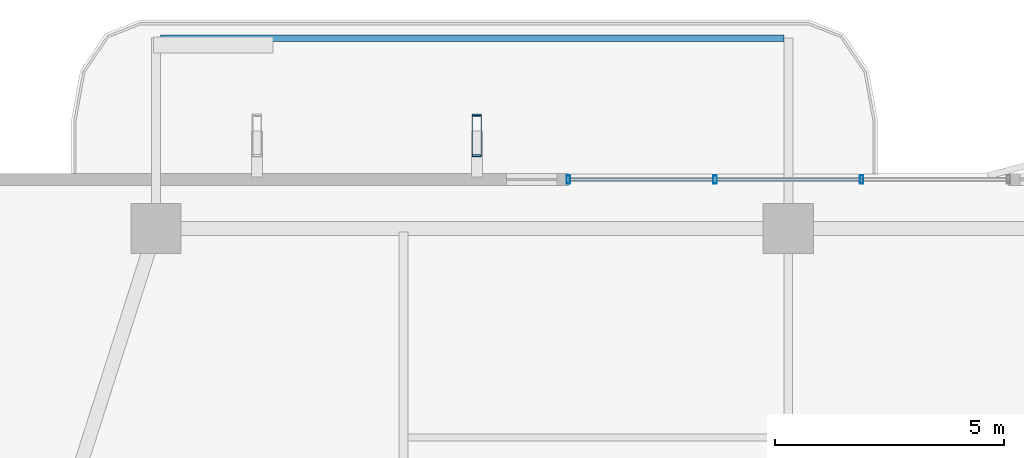
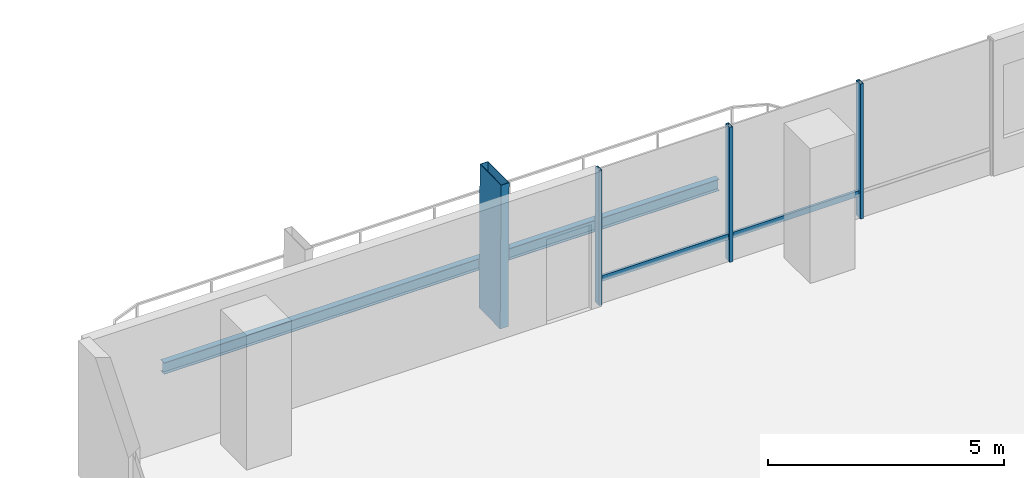
# One storey, part 13 of 24: 6 members, 1 beam, 1 element without a shape of its own.
"""IFC4 building model written with IfcOpenShell, lengths in metres."""

import ifcopenshell
import ifcopenshell.guid

model = None  # the IFC model being written
_history = None  # IfcOwnerHistory: only IFC2X3 demands one
_inside = {}  # id of a spatial element -> (the spatial element, [elements in it])
_under = {}  # id of a project, library or spatial element -> (it, [spatial elements below it])
_declared = {}  # id of a project -> (the project, [libraries it declares])
_typed = {}  # id of a type object -> (the type object, [elements of that type])
_made_of = {}  # id of a material, layer set ... -> (it, [elements and type objects made of it])


def new_model(schema):
    """Start an empty IFC model of exactly this schema.

    Asked for "IFC4X3", IfcOpenShell would pick the latest addendum, in which some entities
    have other attributes; the version numbers below select the first issue.
    IFC2X3 requires an IfcOwnerHistory on every rooted entity: one is made here for all.
    """
    global model, _history
    if schema == "IFC4X3":
        model = ifcopenshell.file(schema_version=(4, 3, 0, 0))
    else:
        model = ifcopenshell.file(schema=schema)
    _inside.clear()
    _under.clear()
    _declared.clear()
    _typed.clear()
    _made_of.clear()
    _history = None
    if model.schema == "IFC2X3":
        org = make("IfcOrganization", Name="unknown")
        user = make(
            "IfcPersonAndOrganization",
            ThePerson=make("IfcPerson", FamilyName="unknown"),
            TheOrganization=org,
        )
        app = make(
            "IfcApplication",
            ApplicationDeveloper=org,
            Version="unknown",
            ApplicationFullName="unknown",
            ApplicationIdentifier="unknown",
        )
        _history = make(
            "IfcOwnerHistory",
            OwningUser=user,
            OwningApplication=app,
            ChangeAction="ADDED",
            CreationDate=0,
        )
    return model


def make(cls, **values):
    """One entity of the class cls with the attributes given. An attribute that is None is left unset."""
    return model.create_entity(
        cls, **{name: value for name, value in values.items() if value is not None}
    )


def rooted(cls, **values):
    """An entity with a GlobalId (a new one), such as an element, a storey or a relation."""
    return make(cls, GlobalId=ifcopenshell.guid.new(), OwnerHistory=_history, **values)


def si_unit(unit_type, name, prefix=None):
    """IfcSIUnit, for example si_unit("LENGTHUNIT", "METRE", prefix="MILLI")."""
    return make("IfcSIUnit", UnitType=unit_type, Prefix=prefix, Name=name)


def assignment(units):
    """IfcUnitAssignment: the units of a project."""
    return None if units is None else make("IfcUnitAssignment", Units=units)


def point(xyz):
    """IfcCartesianPoint."""
    return None if xyz is None else make("IfcCartesianPoint", Coordinates=xyz)


def direction(xyz):
    """IfcDirection."""
    return None if xyz is None else make("IfcDirection", DirectionRatios=xyz)


def frame(location, z_axis=None, x_axis=None):
    """IfcAxis2Placement3D, a coordinate frame: its origin and axes. An axis left out is left unset."""
    return make(
        "IfcAxis2Placement3D",
        Location=point(location),
        Axis=direction(z_axis),
        RefDirection=direction(x_axis),
    )


def frame_2d(location, x_axis=None):
    """IfcAxis2Placement2D, a coordinate frame in the plane: its origin and x axis."""
    return make(
        "IfcAxis2Placement2D", Location=point(location), RefDirection=direction(x_axis)
    )


def origin():
    """The frame at (0, 0, 0) with its axes left unset."""
    return frame((0.0, 0.0, 0.0))


def origin_2d():
    """The frame at (0, 0) in the plane with its x axis left unset."""
    return frame_2d((0.0, 0.0))


def place(relative_to, where):
    """IfcLocalPlacement: puts the frame where relative to a parent placement (None: the world)."""
    return make(
        "IfcLocalPlacement", PlacementRelTo=relative_to, RelativePlacement=where
    )


def context(
    kind, dimensions, precision=None, world=None, true_north=None, identifier=None
):
    """IfcGeometricRepresentationContext, for example the 3D "Model" context."""
    return make(
        "IfcGeometricRepresentationContext",
        ContextIdentifier=identifier,
        ContextType=kind,
        CoordinateSpaceDimension=dimensions,
        Precision=precision,
        WorldCoordinateSystem=world,
        TrueNorth=true_north,
    )


def subcontext(parent, identifier, kind, view, scale=None):
    """IfcGeometricRepresentationSubContext, for example "Body" below "Model"."""
    return make(
        "IfcGeometricRepresentationSubContext",
        ContextIdentifier=identifier,
        ContextType=kind,
        ParentContext=parent,
        TargetScale=scale,
        TargetView=view,
    )


def project(units=None, contexts=None):
    """IfcProject with its units and contexts."""
    return rooted(
        "IfcProject",
        Name="project",
        RepresentationContexts=contexts,
        UnitsInContext=assignment(units),
    )


def spatial(cls, under=None, at=None, **own):
    """A site, building, storey or space (cls), placed at a placement, below another one or the project."""
    s = rooted(cls, ObjectPlacement=at, **own)
    if under is not None:
        _under.setdefault(under.id(), (under, []))[1].append(s)
    return s


def profile(cls, at=None, kind="AREA", **sizes):
    """A parametric profile (cls). Its sizes go by their IFC names, for example OverallWidth=200.0."""
    return make(cls, ProfileType=kind, Position=at, **sizes)


def hollow_rectangle(**sizes):
    """IfcRectangleHollowProfileDef."""
    return profile("IfcRectangleHollowProfileDef", **sizes)


def i_section(**sizes):
    """IfcIShapeProfileDef."""
    return profile("IfcIShapeProfileDef", **sizes)


def extrude(swept, where, along, depth):
    """IfcExtrudedAreaSolid: the profile swept, set in the frame where, extruded along a direction by depth."""
    return make(
        "IfcExtrudedAreaSolid",
        SweptArea=swept,
        Position=where,
        ExtrudedDirection=direction(along),
        Depth=depth,
    )


def shape(context_of_items, identifier, shape_type, items):
    """IfcShapeRepresentation: the items that make up one representation, for example the "Body"."""
    return make(
        "IfcShapeRepresentation",
        ContextOfItems=context_of_items,
        RepresentationIdentifier=identifier,
        RepresentationType=shape_type,
        Items=items,
    )


def material(Name=None, Category=None):
    """IfcMaterial."""
    return make("IfcMaterial", Name=Name, Category=Category)


def layer(
    of_material, thickness, ventilated=None, Name=None, Category=None, Priority=None
):
    """IfcMaterialLayer: one layer of a wall or slab, of a material (None: an air gap)."""
    return make(
        "IfcMaterialLayer",
        Material=of_material,
        LayerThickness=thickness,
        IsVentilated=ventilated,
        Name=Name,
        Category=Category,
        Priority=Priority,
    )


def layer_set(layers, Name=None):
    """IfcMaterialLayerSet."""
    return make("IfcMaterialLayerSet", MaterialLayers=layers, LayerSetName=Name)


def material_profile(
    of_material, cross_section, Name=None, Category=None, Priority=None
):
    """IfcMaterialProfile: a cross section and its material."""
    return make(
        "IfcMaterialProfile",
        Name=Name,
        Material=of_material,
        Profile=cross_section,
        Priority=Priority,
        Category=Category,
    )


def profile_set(profiles, Name=None, composite=None):
    """IfcMaterialProfileSet."""
    return make(
        "IfcMaterialProfileSet",
        Name=Name,
        MaterialProfiles=profiles,
        CompositeProfile=composite,
    )


def made_of(thing, what):
    """Note that an element or type object is made of a material, layer set ...; save() writes the relation."""
    if what is not None:
        _made_of.setdefault(what.id(), (what, []))[1].append(thing)
    return thing


def type_object(cls, material=None, **own):
    """A type object (cls), such as IfcWallType, which elements share."""
    return made_of(rooted(cls, **own), material)


def element(
    cls,
    number,
    at=None,
    inside=None,
    cuts=None,
    type_object=None,
    material=None,
    context=None,
    identifier="Body",
    shape_type=None,
    held_by="IfcProductDefinitionShape",
    body=None,
    shapes=None,
    **own,
):
    """One element of the class cls, such as IfcWall. Its Tag is "e" and its number.

    at: its placement. inside: the storey or other place that contains it. cuts: it is an
    opening in that element (IfcRelVoidsElement). A single representation is given by context,
    identifier, shape_type and body (its items); several are given by shapes. held_by: the class
    of the entity that holds the representations. save() writes the other relations.
    """
    e = rooted(cls, Tag="e%d" % number, ObjectPlacement=at, **own)
    if body is not None:
        shapes = [shape(context, identifier, shape_type, body)]
    if shapes is not None:
        e.Representation = make(held_by, Representations=shapes)
    if inside is not None:
        _inside.setdefault(inside.id(), (inside, []))[1].append(e)
    if cuts is not None:
        rooted(
            "IfcRelVoidsElement", RelatingBuildingElement=cuts, RelatedOpeningElement=e
        )
    if type_object is not None:
        _typed.setdefault(type_object.id(), (type_object, []))[1].append(e)
    return made_of(e, material)


def aggregate(whole, parts):
    """IfcRelAggregates: a whole, such as a stair, and the parts it consists of."""
    return rooted("IfcRelAggregates", RelatingObject=whole, RelatedObjects=parts)


def save(model, path):
    """Write the relations noted so far, then the file.

    IfcRelAggregates (storeys below a building ...), IfcRelContainedInSpatialStructure (elements
    in a storey), IfcRelDefinesByType, IfcRelAssociatesMaterial and IfcRelDeclares: one each for
    every whole, place, type object, material and project.
    """
    for whole, parts in _under.values():
        aggregate(whole, parts)
    for where, things in _inside.values():
        rooted(
            "IfcRelContainedInSpatialStructure",
            RelatedElements=things,
            RelatingStructure=where,
        )
    for kind, things in _typed.values():
        rooted("IfcRelDefinesByType", RelatedObjects=things, RelatingType=kind)
    for what, things in _made_of.values():
        rooted("IfcRelAssociatesMaterial", RelatedObjects=things, RelatingMaterial=what)
    for by, libraries in _declared.values():
        rooted("IfcRelDeclares", RelatingContext=by, RelatedDefinitions=libraries)
    model.write(path)


model = new_model("IFC4")

# Units and contexts
model_context = context("Model", 3, precision=1e-05, world=origin(), true_north=direction((0.0, 1.0)))
body_context = subcontext(model_context, "Body", "Model", "MODEL_VIEW")
ifc_project = project(units=[si_unit("LENGTHUNIT", "METRE"), si_unit("AREAUNIT", "SQUARE_METRE"), si_unit("VOLUMEUNIT", "CUBIC_METRE"), si_unit("PLANEANGLEUNIT", "RADIAN"), si_unit("MASSUNIT", "GRAM", prefix="KILO")], contexts=[model_context])

# Site, building, storey
site_placement = place(None, origin())
site = spatial("IfcSite", under=ifc_project, at=site_placement, CompositionType="ELEMENT")
building_placement = place(site_placement, origin())
building = spatial("IfcBuilding", under=site, at=building_placement, Name="Belovzor Exchange Tower", CompositionType="ELEMENT")
storey_placement = place(building_placement, frame((0.0, 0.0, 179.550048828125)))
storey = spatial("IfcBuildingStorey", under=building, at=storey_placement, Name="L44", CompositionType="ELEMENT", Elevation=179.550048828125)

# Beam
ifc_material_1 = material(Name="Steel S355", Category="steel")
ifc_material_profile_1 = material_profile(ifc_material_1, i_section(OverallWidth=0.14990234375, OverallDepth=0.300048828125, WebThickness=0.007080078125, FlangeThickness=0.0107421875, at=origin_2d()))
ifc_profile_set_1 = profile_set([ifc_material_profile_1], Name="Steel S355")
beam_type = type_object("IfcBeamType", Name="Planted Balcony Fascia Edge Beam IPE 300", PredefinedType="BEAM", material=ifc_profile_set_1)
beam_placement = place(storey_placement, frame((28.699951171875, 56.052978515625, -0.405029296875), z_axis=(-1.0, 0.0, 0.0), x_axis=(0.0, -1.0, 0.0)))
element("IfcBeam", 1, at=beam_placement, inside=storey, type_object=beam_type, Name="BC-300 Planted Balcony Fascia Edge Beam IPE 300", PredefinedType="BEAM", context=body_context, shape_type="SweptSolid", body=[
    extrude(i_section(OverallWidth=0.14990234375, OverallDepth=0.300048828125, WebThickness=0.007080078125, FlangeThickness=0.0107421875, at=origin_2d()), origin(), (0.0, 0.0, 1.0), 13.599853515625),
])

# Member
ifc_material_2 = material(Name="Extruded Architectural Terracotta on Steel S355 Carrier", Category="masonry")
ifc_material_profile_2 = material_profile(ifc_material_2, hollow_rectangle(XDim=0.199951171875, YDim=0.89990234375, WallThickness=0.011962890625, at=origin_2d()))
ifc_profile_set_2 = profile_set([ifc_material_profile_2], Name="Extruded Architectural Terracotta on Steel S355 Carrier")
member_type_1 = type_object("IfcMemberType", Name="Sweeping Terracotta Baguette Fin Assembly 1250", PredefinedType="USERDEFINED", material=ifc_profile_set_2)
member_1_placement = place(storey_placement, frame((22.0, 53.952880859375, -0.255126953125), z_axis=(0.0, -0.011197214661, 0.999937309227), x_axis=(1.0, 0.0, 0.0)))
element("IfcMember", 2, at=member_1_placement, inside=storey, type_object=member_type_1, Name="FIN-TC125 Terracotta Facade Fin L44 N2", ObjectType="FIN", PredefinedType="USERDEFINED", context=body_context, shape_type="SweptSolid", body=[
    extrude(hollow_rectangle(XDim=0.199951171875, YDim=0.89990234375, WallThickness=0.011962890625, at=origin_2d()), origin(), (0.0, 0.0, 1.0), 3.750244140625),
])

# Curtain wall, members
ifc_material_3 = material(Name="Anodised Aluminium Framing", Category="aluminium")
ifc_layer = layer(ifc_material_3, 0.179931640625)
ifc_layer_set = layer_set([ifc_layer], Name="Anodised Aluminium Framing")
curtain_wall_type = type_object("IfcCurtainWallType", Name="Recessed Loggia Low-Iron Triple-Glazed Curtain Wall", PredefinedType="NOTDEFINED", material=ifc_layer_set)
curtain_wall_placement = place(storey_placement, origin())
curtain_wall = element("IfcCurtainWall", 3, at=curtain_wall_placement, inside=storey, type_object=curtain_wall_type, Name="CW3 Recessed Loggia Low-Iron Triple-Glazed Curtain Wall L44", PredefinedType="NOTDEFINED")
ifc_material_4 = material(Name="Steel S355", Category="steel")
ifc_material_profile_3 = material_profile(ifc_material_4, hollow_rectangle(XDim=0.074951171875, YDim=0.179931640625, WallThickness=0.0048828125, at=origin_2d()))
ifc_profile_set_3 = profile_set([ifc_material_profile_3], Name="Steel S355")
member_type_2 = type_object("IfcMemberType", Name="Thermally Broken Curtain Wall Mullion 180x75", PredefinedType="MULLION", material=ifc_profile_set_3)
member_2_placement = place(storey_placement, frame((24.0, 52.969970703125, 0.0), z_axis=(0.0, 0.0, 1.0), x_axis=(1.0, 0.0, 0.0)))
member_2 = element("IfcMember", 4, at=member_2_placement, type_object=member_type_2, Name="CW-M180 Curtain Wall Mullion 1", PredefinedType="MULLION", context=body_context, shape_type="SweptSolid", body=[
    extrude(hollow_rectangle(XDim=0.074951171875, YDim=0.179931640625, WallThickness=0.0048828125, at=origin_2d()), origin(), (0.0, 0.0, 1.0), 3.494873046875),
])
member_3_placement = place(storey_placement, frame((27.199951171875, 52.969970703125, 0.0), z_axis=(0.0, 0.0, 1.0), x_axis=(1.0, 0.0, 0.0)))
member_3 = element("IfcMember", 5, at=member_3_placement, type_object=member_type_2, Name="CW-M180 Curtain Wall Mullion 2", PredefinedType="MULLION", context=body_context, shape_type="SweptSolid", body=[
    extrude(hollow_rectangle(XDim=0.074951171875, YDim=0.179931640625, WallThickness=0.0048828125, at=origin_2d()), origin(), (0.0, 0.0, 1.0), 3.494873046875),
])
member_4_placement = place(storey_placement, frame((30.39990234375, 52.969970703125, 0.0), z_axis=(0.0, 0.0, 1.0), x_axis=(1.0, 0.0, 0.0)))
member_4 = element("IfcMember", 6, at=member_4_placement, type_object=member_type_2, Name="CW-M180 Curtain Wall Mullion 3", PredefinedType="MULLION", context=body_context, shape_type="SweptSolid", body=[
    extrude(hollow_rectangle(XDim=0.074951171875, YDim=0.179931640625, WallThickness=0.0048828125, at=origin_2d()), origin(), (0.0, 0.0, 1.0), 3.494873046875),
])
ifc_material_5 = material(Name="Steel S355", Category="steel")
ifc_material_profile_4 = material_profile(ifc_material_5, hollow_rectangle(XDim=0.06005859375, YDim=0.14990234375, WallThickness=0.00390625, at=origin_2d()))
ifc_profile_set_4 = profile_set([ifc_material_profile_4], Name="Steel S355")
member_type_3 = type_object("IfcMemberType", Name="Thermally Broken Curtain Wall Transom 150x60", PredefinedType="USERDEFINED", material=ifc_profile_set_4)
member_5_placement = place(storey_placement, frame((24.008056640625, 52.969970703125, 0.62890625), z_axis=(1.0, 0.0, 0.0), x_axis=(0.0, 1.0, 0.0)))
member_5 = element("IfcMember", 7, at=member_5_placement, type_object=member_type_3, Name="CW-T150 Curtain Wall Transom 1", ObjectType="TRANSOM", PredefinedType="USERDEFINED", context=body_context, shape_type="SweptSolid", body=[
    extrude(hollow_rectangle(XDim=0.06005859375, YDim=0.14990234375, WallThickness=0.00390625, at=origin_2d()), origin(), (0.0, 0.0, 1.0), 3.183837890625),
])
member_6_placement = place(storey_placement, frame((27.2080078125, 52.969970703125, 0.62890625), z_axis=(1.0, 0.0, 0.0), x_axis=(0.0, 1.0, 0.0)))
member_6 = element("IfcMember", 8, at=member_6_placement, type_object=member_type_3, Name="CW-T150 Curtain Wall Transom 2", ObjectType="TRANSOM", PredefinedType="USERDEFINED", context=body_context, shape_type="SweptSolid", body=[
    extrude(hollow_rectangle(XDim=0.06005859375, YDim=0.14990234375, WallThickness=0.00390625, at=origin_2d()), origin(), (0.0, 0.0, 1.0), 3.18408203125),
])
aggregate(curtain_wall, [member_2, member_3, member_4, member_5, member_6])

save(model, "model.ifc")
